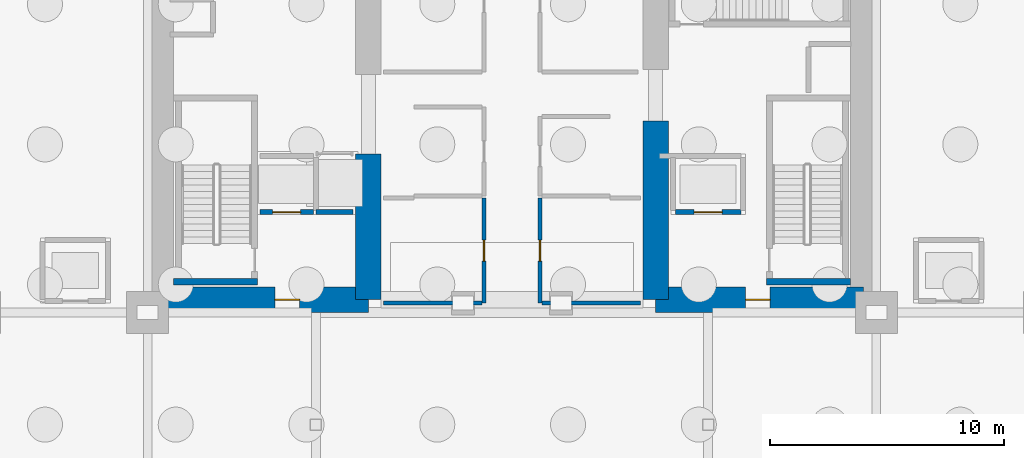
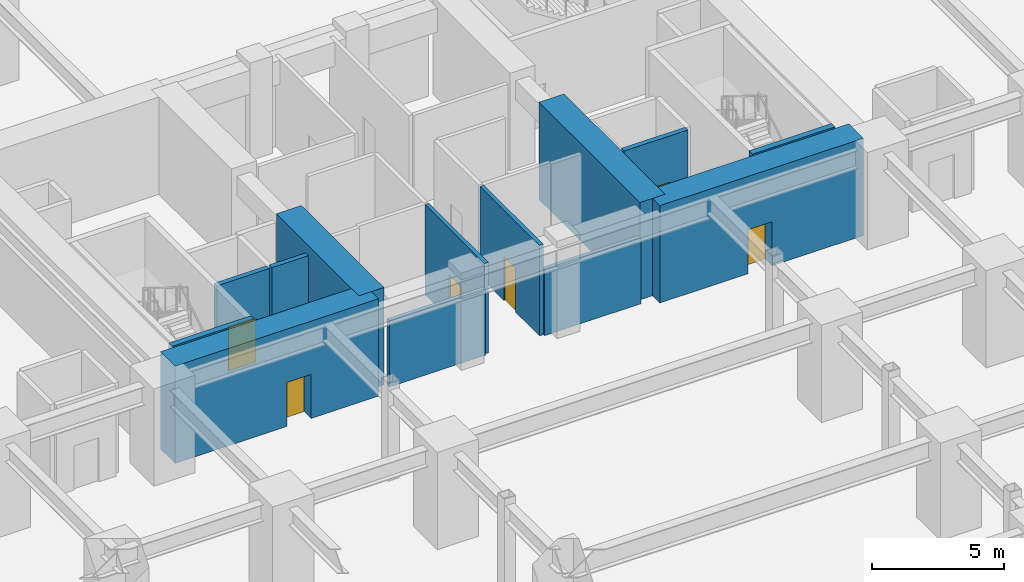
# One storey, part 11 of 23: 13 walls, 6 doors, 6 openings.
"""IFC4 building model written with IfcOpenShell, lengths in metres."""

from ifc_helpers import new_model, si_unit, direction, frame, frame_2d, origin, place, context, subcontext, project, spatial, rectangle, extrude, material, layer, layer_set, type_object, element, fill, save


model = new_model("IFC4")

# Units and contexts
model_context = context("Model", 3, precision=1e-05, world=origin(), true_north=direction((0.0, 1.0)))
body_context = subcontext(model_context, "Body", "Model", "MODEL_VIEW")
ifc_project = project(units=[si_unit("LENGTHUNIT", "METRE"), si_unit("AREAUNIT", "SQUARE_METRE"), si_unit("VOLUMEUNIT", "CUBIC_METRE"), si_unit("PLANEANGLEUNIT", "RADIAN"), si_unit("MASSUNIT", "GRAM", prefix="KILO")], contexts=[model_context])

# Site, building, storey
site_placement = place(None, origin())
site = spatial("IfcSite", under=ifc_project, at=site_placement, CompositionType="ELEMENT")
building_placement = place(site_placement, origin())
building = spatial("IfcBuilding", under=site, at=building_placement, Name="Kiyonajd Concourse Tower", CompositionType="ELEMENT")
storey_placement = place(building_placement, frame((0.0, 0.0, -9.0)))
storey = spatial("IfcBuildingStorey", under=building, at=storey_placement, Name="B2", CompositionType="ELEMENT", Elevation=-9.0)

# Wall
ifc_material_1 = material(Name="Concrete C80/95", Category="concrete")
ifc_layer_1 = layer(ifc_material_1, 1.10009765625)
ifc_layer_set_1 = layer_set([ifc_layer_1], Name="Concrete C80/95")
wall_type_1 = type_object("IfcWallType", Name="WL-CORE-1100", PredefinedType="SHEAR", material=ifc_layer_set_1)
wall_1_placement = place(storey_placement, frame((41.85009765625, 28.14990234375, 0.0), z_axis=(0.0, 0.0, 1.0), x_axis=(0.0, 1.0, 0.0)))
element("IfcWall", 1, at=wall_1_placement, inside=storey, type_object=wall_type_1, Name="B2 West Core Inner South Shear Wall", PredefinedType="SHEAR", context=body_context, shape_type="SweptSolid", body=[
    extrude(rectangle(XDim=6.25, YDim=1.10009765625, at=frame_2d((3.125, 0.0))), origin(), (0.0, 0.0, 1.0), 4.5),
])

# Wall, opening, door
wall_2_placement = place(storey_placement, frame((32.949951171875, 28.14990234375, 0.0), z_axis=(0.0, 0.0, 1.0), x_axis=(1.0, 0.0, 0.0)))
wall_2 = element("IfcWall", 2, at=wall_2_placement, inside=storey, type_object=wall_type_1, Name="B2 West Core South Shear Wall", PredefinedType="SHEAR", context=body_context, shape_type="SweptSolid", body=[
    extrude(rectangle(XDim=8.900146484375, YDim=1.10009765625, at=frame_2d((4.4501953125, 0.0))), origin(), (0.0, 0.0, 1.0), 4.5),
])
opening_1_placement = place(wall_2_placement, frame((4.89990234375, 0.0, 0.0)))
opening_1 = element("IfcOpeningElement", 3, at=opening_1_placement, cuts=wall_2, Name="Opening DF5", PredefinedType="OPENING", context=body_context, shape_type="SweptSolid", body=[
    extrude(rectangle(XDim=1.050048828125, YDim=2.0400390625, at=frame_2d((0.52490234375, 1.02001953125))), frame((0.0, 0.56005859375, 0.0), z_axis=(0.0, -1.0, 0.0), x_axis=(1.0, 0.0, 0.0)), (0.0, 0.0, 1.0), 1.1201171875),
])
ifc_material_2 = material(Name="Brushed Stainless Steel Cab Assembly", Category="steel")
door_type_1 = type_object("IfcDoorType", Name="DR-FD45-1050", OperationType="NOTDEFINED", PredefinedType="DOOR", material=ifc_material_2)
door_1_placement = place(opening_1_placement, origin())
door_1 = element("IfcDoor", 4, at=door_1_placement, inside=storey, type_object=door_type_1, Name="B2 Firefighting Lift Lobby W Smoke Door", OperationType="SINGLE_SWING_LEFT", OverallHeight=2.0400390625, OverallWidth=1.050048828125, PredefinedType="DOOR", context=body_context, shape_type="SweptSolid", body=[
    extrude(rectangle(XDim=1.050048828125, YDim=2.0400390625, at=frame_2d((0.52490234375, 1.02001953125))), frame((0.0, 0.02490234375, 0.0), z_axis=(0.0, -1.0, 0.0), x_axis=(1.0, 0.0, 0.0)), (0.0, 0.0, 1.0), 0.050048828125),
])
fill(opening_1, door_1)

# Wall
wall_3_placement = place(storey_placement, frame((54.14990234375, 28.14990234375, 0.0), z_axis=(0.0, 0.0, 1.0), x_axis=(0.0, 1.0, 0.0)))
element("IfcWall", 5, at=wall_3_placement, inside=storey, type_object=wall_type_1, Name="B2 East Core Inner South Shear Wall", PredefinedType="SHEAR", context=body_context, shape_type="SweptSolid", body=[
    extrude(rectangle(XDim=7.650146484375, YDim=1.10009765625, at=frame_2d((3.8251953125, 0.0))), origin(), (0.0, 0.0, 1.0), 4.5),
])

# Wall, opening, door
wall_4_placement = place(storey_placement, frame((54.14990234375, 28.14990234375, 0.0), z_axis=(0.0, 0.0, 1.0), x_axis=(1.0, 0.0, 0.0)))
wall_4 = element("IfcWall", 6, at=wall_4_placement, inside=storey, type_object=wall_type_1, Name="B2 East Core South Shear Wall", PredefinedType="SHEAR", context=body_context, shape_type="SweptSolid", body=[
    extrude(rectangle(XDim=8.900146484375, YDim=1.10009765625, at=frame_2d((4.4501953125, 0.0))), origin(), (0.0, 0.0, 1.0), 4.5),
])
opening_2_placement = place(wall_4_placement, frame((3.85009765625, 0.0, 0.0)))
opening_2 = element("IfcOpeningElement", 7, at=opening_2_placement, cuts=wall_4, Name="Opening DF5", PredefinedType="OPENING", context=body_context, shape_type="SweptSolid", body=[
    extrude(rectangle(XDim=1.050048828125, YDim=2.0400390625, at=frame_2d((0.52490234375, 1.02001953125))), frame((0.0, 0.56005859375, 0.0), z_axis=(0.0, -1.0, 0.0), x_axis=(1.0, 0.0, 0.0)), (0.0, 0.0, 1.0), 1.1201171875),
])
door_2_placement = place(opening_2_placement, origin())
door_2 = element("IfcDoor", 8, at=door_2_placement, inside=storey, type_object=door_type_1, Name="B2 Firefighting Lift Lobby E Smoke Door", OperationType="SINGLE_SWING_RIGHT", OverallHeight=2.0400390625, OverallWidth=1.050048828125, PredefinedType="DOOR", context=body_context, shape_type="SweptSolid", body=[
    extrude(rectangle(XDim=1.050048828125, YDim=2.0400390625, at=frame_2d((0.52490234375, 1.02001953125))), frame((0.0, 0.02490234375, 0.0), z_axis=(0.0, -1.0, 0.0), x_axis=(1.0, 0.0, 0.0)), (0.0, 0.0, 1.0), 0.050048828125),
])
fill(opening_2, door_2)

ifc_material_3 = material(Name="Gypsum Board on Cold-Formed Steel Stud", Category="steel")
ifc_layer_2 = layer(ifc_material_3, 0.2099609375)
ifc_layer_set_2 = layer_set([ifc_layer_2], Name="Gypsum Board on Cold-Formed Steel Stud")
wall_type_2 = type_object("IfcWallType", Name="WL-SHAFT-210", PredefinedType="PARTITIONING", material=ifc_layer_set_2)
wall_5_placement = place(storey_placement, frame((37.199951171875, 31.89990234375, 0.0), z_axis=(0.0, 0.0, 1.0), x_axis=(1.0, 0.0, 0.0)))
wall_5 = element("IfcWall", 9, at=wall_5_placement, inside=storey, type_object=wall_type_2, Name="B2 Shaft Enclosure Wall", PredefinedType="PARTITIONING", context=body_context, shape_type="SweptSolid", body=[
    extrude(rectangle(XDim=2.300048828125, YDim=0.2099609375, at=frame_2d((1.14990234375, 0.0))), origin(), (0.0, 0.0, 1.0), 4.179931640625),
])
opening_3_placement = place(wall_5_placement, frame((0.550048828125, 0.0, 0.0)))
opening_3 = element("IfcOpeningElement", 10, at=opening_3_placement, cuts=wall_5, Name="Opening LD2", PredefinedType="OPENING", context=body_context, shape_type="SweptSolid", body=[
    extrude(rectangle(XDim=1.199951171875, YDim=2.0400390625, at=frame_2d((0.60009765625, 1.02001953125))), frame((0.0, 0.114990234375, 0.0), z_axis=(0.0, -1.0, 0.0), x_axis=(1.0, 0.0, 0.0)), (0.0, 0.0, 1.0), 0.22998046875),
])
door_type_2 = type_object("IfcDoorType", Name="DR-LD-1200", OperationType="DOUBLE_DOOR_SLIDING", PredefinedType="DOOR", material=ifc_material_2)
door_3_placement = place(opening_3_placement, origin())
door_3 = element("IfcDoor", 11, at=door_3_placement, inside=storey, type_object=door_type_2, Name="B2 Lift FFL1 Sliding Landing Door", OperationType="DOUBLE_DOOR_SLIDING", OverallHeight=2.0400390625, OverallWidth=1.199951171875, PredefinedType="DOOR", context=body_context, shape_type="SweptSolid", body=[
    extrude(rectangle(XDim=1.199951171875, YDim=2.0400390625, at=frame_2d((0.60009765625, 1.02001953125))), frame((0.0, 0.02490234375, 0.0), z_axis=(0.0, -1.0, 0.0), x_axis=(1.0, 0.0, 0.0)), (0.0, 0.0, 1.0), 0.050048828125),
])
fill(opening_3, door_3)

wall_6_placement = place(storey_placement, frame((55.0, 31.89990234375, 0.0), z_axis=(0.0, 0.0, 1.0), x_axis=(1.0, 0.0, 0.0)))
wall_6 = element("IfcWall", 12, at=wall_6_placement, inside=storey, type_object=wall_type_2, Name="B2 Shaft Enclosure Wall", PredefinedType="PARTITIONING", context=body_context, shape_type="SweptSolid", body=[
    extrude(rectangle(XDim=2.800048828125, YDim=0.2099609375, at=frame_2d((1.39990234375, 0.0))), origin(), (0.0, 0.0, 1.0), 4.179931640625),
])
opening_4_placement = place(wall_6_placement, frame((0.800048828125, 0.0, 0.0)))
opening_4 = element("IfcOpeningElement", 13, at=opening_4_placement, cuts=wall_6, Name="Opening LD2", PredefinedType="OPENING", context=body_context, shape_type="SweptSolid", body=[
    extrude(rectangle(XDim=1.199951171875, YDim=2.0400390625, at=frame_2d((0.60009765625, 1.02001953125))), frame((0.0, 0.114990234375, 0.0), z_axis=(0.0, -1.0, 0.0), x_axis=(1.0, 0.0, 0.0)), (0.0, 0.0, 1.0), 0.22998046875),
])
door_4_placement = place(opening_4_placement, origin())
door_4 = element("IfcDoor", 14, at=door_4_placement, inside=storey, type_object=door_type_2, Name="B2 Lift FFL2 Sliding Landing Door", OperationType="DOUBLE_DOOR_SLIDING", OverallHeight=2.0400390625, OverallWidth=1.199951171875, PredefinedType="DOOR", context=body_context, shape_type="SweptSolid", body=[
    extrude(rectangle(XDim=1.199951171875, YDim=2.0400390625, at=frame_2d((0.60009765625, 1.02001953125))), frame((0.0, 0.02490234375, 0.0), z_axis=(0.0, -1.0, 0.0), x_axis=(1.0, 0.0, 0.0)), (0.0, 0.0, 1.0), 0.050048828125),
])
fill(opening_4, door_4)

# Wall
wall_7_placement = place(storey_placement, frame((39.60009765625, 31.89990234375, 0.0), z_axis=(0.0, 0.0, 1.0), x_axis=(1.0, 0.0, 0.0)))
element("IfcWall", 15, at=wall_7_placement, inside=storey, type_object=wall_type_2, Name="B2 Shaft Enclosure Wall", PredefinedType="PARTITIONING", context=body_context, shape_type="SweptSolid", body=[
    extrude(rectangle(XDim=1.599853515625, YDim=0.2099609375, at=frame_2d((0.7998046875, 0.0))), origin(), (0.0, 0.0, 1.0), 4.179931640625),
])

# Wall, opening, door
ifc_layer_3 = layer(ifc_material_3, 0.169921875)
ifc_layer_set_3 = layer_set([ifc_layer_3], Name="Gypsum Board on Cold-Formed Steel Stud")
wall_type_3 = type_object("IfcWallType", Name="WL-SMK-170", PredefinedType="PARTITIONING", material=ifc_layer_set_3)
wall_8_placement = place(storey_placement, frame((46.800048828125, 28.0, 0.0), z_axis=(0.0, 0.0, 1.0), x_axis=(0.0, 1.0, 0.0)))
wall_8 = element("IfcWall", 16, at=wall_8_placement, inside=storey, type_object=wall_type_3, Name="B2 Interior Partition Wall", PredefinedType="PARTITIONING", context=body_context, shape_type="SweptSolid", body=[
    extrude(rectangle(XDim=4.5, YDim=0.169921875, at=frame_2d((2.25, 0.0))), origin(), (0.0, 0.0, 1.0), 4.179931640625),
])
opening_5_placement = place(wall_8_placement, frame((1.800048828125, 0.0, 0.0)))
opening_5 = element("IfcOpeningElement", 17, at=opening_5_placement, cuts=wall_8, Name="Opening DI2", PredefinedType="OPENING", context=body_context, shape_type="SweptSolid", body=[
    extrude(rectangle(XDim=0.89990234375, YDim=2.02001953125, at=frame_2d((0.449951171875, 1.010009765625))), frame((0.0, 0.094970703125, 0.0), z_axis=(0.0, -1.0, 0.0), x_axis=(1.0, 0.0, 0.0)), (0.0, 0.0, 1.0), 0.18994140625),
])
ifc_material_4 = material(Name="Natural Oak Acoustic Timber Veneer", Category="wood")
door_type_3 = type_object("IfcDoorType", Name="DR-INT-900", OperationType="NOTDEFINED", PredefinedType="DOOR", material=ifc_material_4)
door_5_placement = place(opening_5_placement, origin())
door_5 = element("IfcDoor", 18, at=door_5_placement, inside=storey, type_object=door_type_3, Name="B2 Interior Door", OperationType="SINGLE_SWING_LEFT", OverallHeight=2.02001953125, OverallWidth=0.89990234375, PredefinedType="DOOR", context=body_context, shape_type="SweptSolid", body=[
    extrude(rectangle(XDim=0.89990234375, YDim=2.02001953125, at=frame_2d((0.449951171875, 1.010009765625))), frame((0.0, 0.02490234375, 0.0), z_axis=(0.0, -1.0, 0.0), x_axis=(1.0, 0.0, 0.0)), (0.0, 0.0, 1.0), 0.050048828125),
])
fill(opening_5, door_5)

# Wall
wall_9_placement = place(storey_placement, frame((42.5, 28.0, 0.0), z_axis=(0.0, 0.0, 1.0), x_axis=(1.0, 0.0, 0.0)))
element("IfcWall", 19, at=wall_9_placement, inside=storey, type_object=wall_type_3, Name="B2 Interior Partition Wall", PredefinedType="PARTITIONING", context=body_context, shape_type="SweptSolid", body=[
    extrude(rectangle(XDim=4.212890625, YDim=0.169921875, at=frame_2d((2.1064453125, 0.0))), origin(), (0.0, 0.0, 1.0), 3.06494140625),
])

# Wall, opening, door
wall_10_placement = place(storey_placement, frame((49.199951171875, 28.0, 0.0), z_axis=(0.0, 0.0, 1.0), x_axis=(0.0, 1.0, 0.0)))
wall_10 = element("IfcWall", 20, at=wall_10_placement, inside=storey, type_object=wall_type_3, Name="B2 Interior Partition Wall", PredefinedType="PARTITIONING", context=body_context, shape_type="SweptSolid", body=[
    extrude(rectangle(XDim=4.5, YDim=0.169921875, at=frame_2d((2.25, 0.0))), origin(), (0.0, 0.0, 1.0), 4.179931640625),
])
opening_6_placement = place(wall_10_placement, frame((1.800048828125, 0.0, 0.0)))
opening_6 = element("IfcOpeningElement", 21, at=opening_6_placement, cuts=wall_10, Name="Opening DI2", PredefinedType="OPENING", context=body_context, shape_type="SweptSolid", body=[
    extrude(rectangle(XDim=0.89990234375, YDim=2.02001953125, at=frame_2d((0.449951171875, 1.010009765625))), frame((0.0, 0.094970703125, 0.0), z_axis=(0.0, -1.0, 0.0), x_axis=(1.0, 0.0, 0.0)), (0.0, 0.0, 1.0), 0.18994140625),
])
door_6_placement = place(opening_6_placement, origin())
door_6 = element("IfcDoor", 22, at=door_6_placement, inside=storey, type_object=door_type_3, Name="B2 Interior Door", OperationType="SINGLE_SWING_RIGHT", OverallHeight=2.02001953125, OverallWidth=0.89990234375, PredefinedType="DOOR", context=body_context, shape_type="SweptSolid", body=[
    extrude(rectangle(XDim=0.89990234375, YDim=2.02001953125, at=frame_2d((0.449951171875, 1.010009765625))), frame((0.0, 0.02490234375, 0.0), z_axis=(0.0, -1.0, 0.0), x_axis=(1.0, 0.0, 0.0)), (0.0, 0.0, 1.0), 0.050048828125),
])
fill(opening_6, door_6)

# Walls
wall_11_placement = place(storey_placement, frame((49.287109375, 28.0, 0.0), z_axis=(0.0, 0.0, 1.0), x_axis=(1.0, 0.0, 0.0)))
element("IfcWall", 23, at=wall_11_placement, inside=storey, type_object=wall_type_3, Name="B2 Interior Partition Wall", PredefinedType="PARTITIONING", context=body_context, shape_type="SweptSolid", body=[
    extrude(rectangle(XDim=4.212890625, YDim=0.169921875, at=frame_2d((2.1064453125, 0.0))), origin(), (0.0, 0.0, 1.0), 3.06494140625),
])
ifc_material_5 = material(Name="Concrete C50/60", Category="concrete")
ifc_layer_4 = layer(ifc_material_5, 0.260009765625)
ifc_layer_set_4 = layer_set([ifc_layer_4], Name="Concrete C50/60")
wall_type_4 = type_object("IfcWallType", Name="WL-STAIR-260", PredefinedType="SHEAR", material=ifc_layer_set_4)
for number, where, z_axis, x_axis, name in (
    (24, (33.5, 28.919921875, 0.0), (0.0, 0.0, 1.0), (1.0, 0.0, 0.0), "B2 Stair ST1 Structural South Wall"),
    (25, (58.889892578125, 28.919921875, 0.0), (0.0, 0.0, 1.0), (1.0, 0.0, 0.0), "B2 Stair ST2 Structural South Wall"),
):
    element("IfcWall", number, at=place(storey_placement, frame(where, z_axis=z_axis, x_axis=x_axis)), inside=storey, type_object=wall_type_4, Name=name, PredefinedType="SHEAR", context=body_context, shape_type="SweptSolid", body=[
        extrude(rectangle(XDim=3.610107421875, YDim=0.260009765625, at=frame_2d((1.80517578125, 0.0))), origin(), (0.0, 0.0, 1.0), 4.5),
    ])

save(model, "model.ifc")
